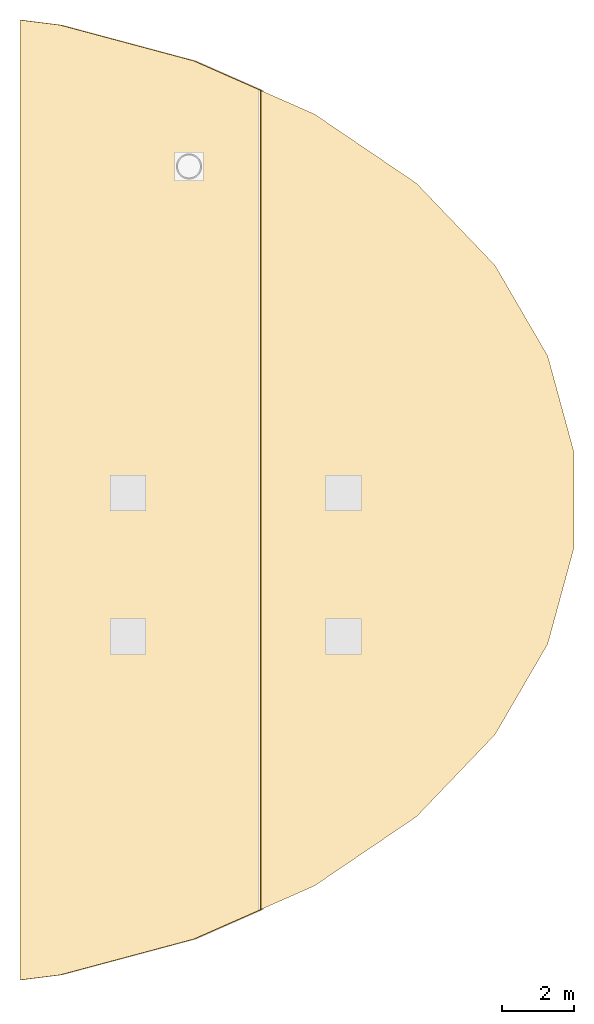
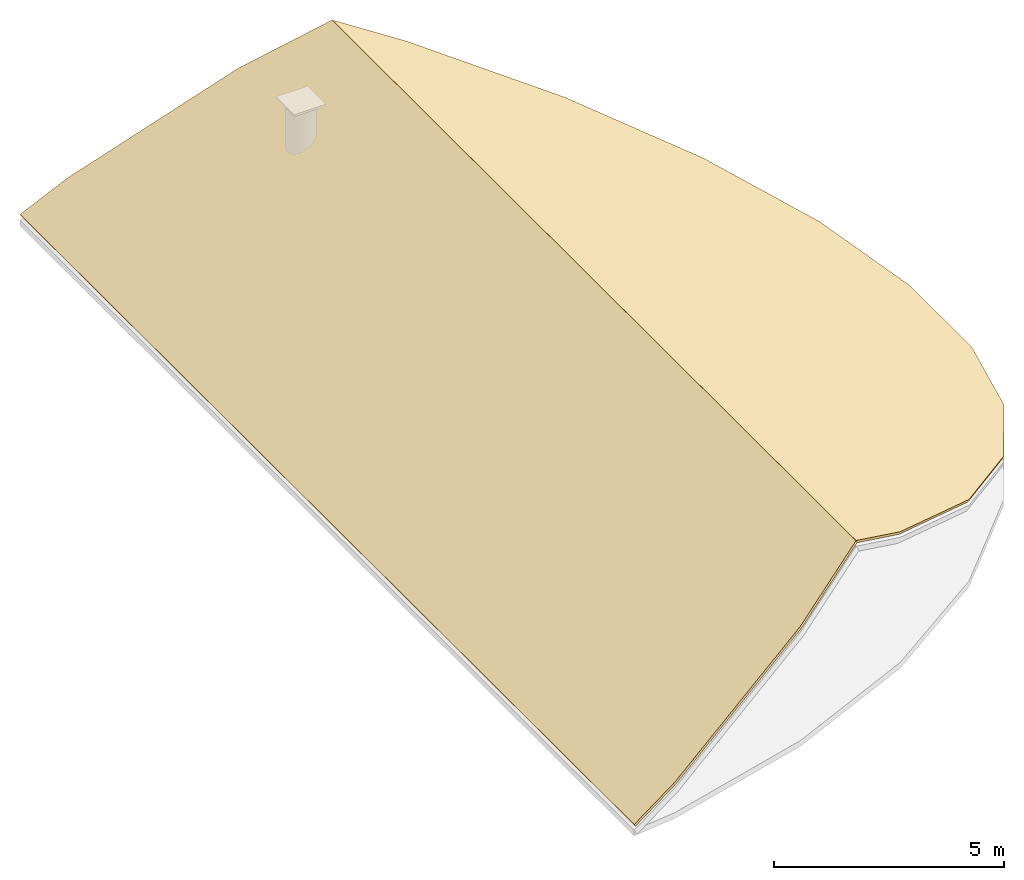
# One storey, part 2 of 2: 2 coverings.
"""IFC4 building model written with IfcOpenShell, lengths in metres."""

from ifc_helpers import new_model, si_unit, direction, frame, origin, place, context, subcontext, project, spatial, polyline, outline, extrude, material, layer, layer_set, type_object, element, save


model = new_model("IFC4")

# Units and contexts
model_context = context("Model", 3, precision=1e-05, world=origin(), true_north=direction((0.0, 1.0)))
body_context = subcontext(model_context, "Body", "Model", "MODEL_VIEW")
ifc_project = project(units=[si_unit("LENGTHUNIT", "METRE"), si_unit("AREAUNIT", "SQUARE_METRE"), si_unit("VOLUMEUNIT", "CUBIC_METRE"), si_unit("PLANEANGLEUNIT", "RADIAN"), si_unit("MASSUNIT", "GRAM", prefix="KILO")], contexts=[model_context])

# Site, building, storey
site_placement = place(None, origin())
site = spatial("IfcSite", under=ifc_project, at=site_placement, CompositionType="ELEMENT")
building_placement = place(site_placement, origin())
building = spatial("IfcBuilding", under=site, at=building_placement, Name="Keldmark Tower", CompositionType="ELEMENT")
storey_placement = place(building_placement, frame((0.0, 0.0, 292.0)))
storey = spatial("IfcBuildingStorey", under=building, at=storey_placement, Name="RF", CompositionType="ELEMENT", Elevation=292.0)

# Coverings
ifc_material = material(Name="PVDF-Coated Standing-Seam Architectural Metal Roofing", Category="metal")
ifc_layer = layer(ifc_material, 0.06494140625)
ifc_layer_set = layer_set([ifc_layer], Name="PVDF-Coated Standing-Seam Architectural Metal Roofing")
covering_type = type_object("IfcCoveringType", Name="Standing-Seam Coated Zinc-Steel Roof Cladding", PredefinedType="ROOFING", material=ifc_layer_set)
covering_1_placement = place(storey_placement, frame((9.62451171875, 12.212646484375, 3.0322265625), z_axis=(-0.51261100063, 0.0, 0.858620965289), x_axis=(0.803129293995, -0.353667613214, 0.479481549687)))
element("IfcCovering", 1, at=covering_1_placement, inside=storey, type_object=covering_type, Name="RF East Crown Peak Standing-Seam Metal Roof West", PredefinedType="ROOFING", context=body_context, shape_type="SweptSolid", body=[
    extrude(outline(polyline([(0.0, 0.0), (2.335321933688607, 0.0), (10.389549219002022, -21.301616802555603), (8.638435066321462, -22.846714779464815), (4.940917718189677, -25.308896152614015), (3.7839570171762196, -25.894861986166397), (-5.656792370919816, -0.9262065620902301), (-4.401571478539648, -0.6001167997354078), (0.0, 0.0)])), origin(), (0.0, 0.0, -1.0), 0.06494140625),
])
covering_2_placement = place(storey_placement, frame((12.98583984375, 10.732177734375, 3.468994140625), z_axis=(0.4177442029, 0.0, 0.908564681761), x_axis=(0.773485701683, -0.524635332901, -0.355636945163)))
element("IfcCovering", 2, at=covering_2_placement, inside=storey, type_object=covering_type, Name="RF East Crown Peak Standing-Seam Metal Roof East", PredefinedType="ROOFING", context=body_context, shape_type="SweptSolid", body=[
    extrude(outline(polyline([(0.0, 0.0), (3.6683776829007666, -2.7755575615628914e-16), (6.9097848799066295, -0.6803829431072255), (9.607339330459437, -1.9795403478371991), (11.681523817381615, -3.8225877061115714), (13.097373175264165, -6.120089988753128), (13.811338572762768, -8.801380398575501), (13.759247541579073, -11.795023079396346), (12.909952033356863, -14.996325737032176), (11.260959276851633, -18.27318669126836), (10.212141204220401, -19.688374915954693), (-1.735608759890706, -0.30073126435305525), (0.0, 0.0)])), origin(), (0.0, 0.0, -1.0), 0.06494140625),
])

save(model, "model.ifc")
